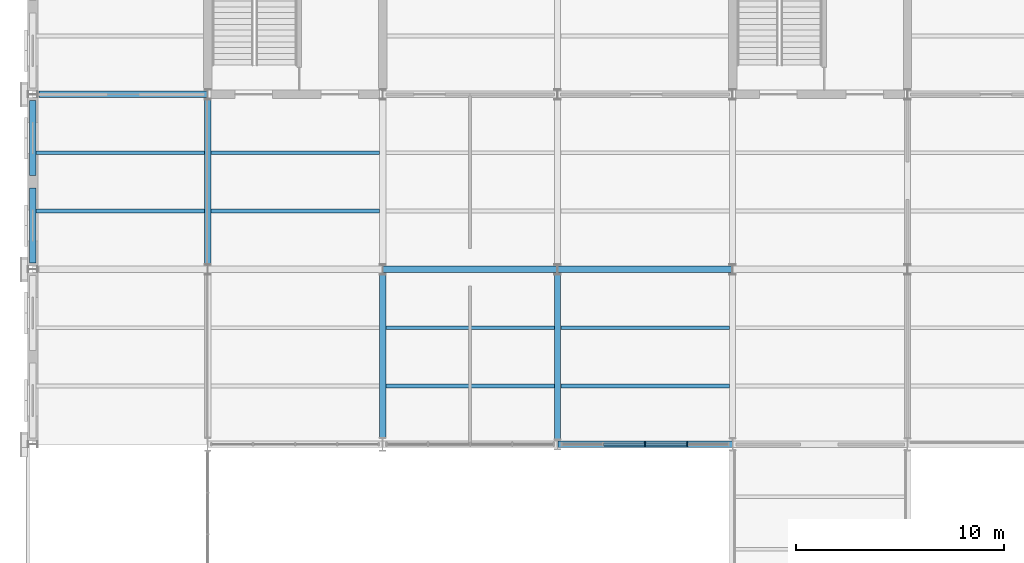
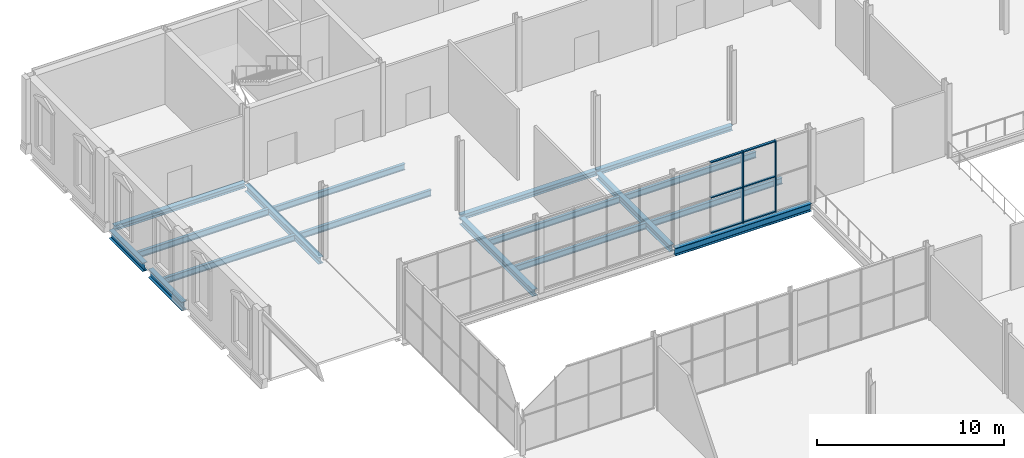
# One storey, part 16 of 61: 17 beams, 8 members, 1 element without a shape of its own.
"""IFC4 building model written with IfcOpenShell, lengths in metres."""

from ifc_helpers import new_model, si_unit, direction, frame, origin, origin_2d, place, context, subcontext, project, spatial, rectangle, i_section, extrude, material, layer, layer_set, material_profile, profile_set, type_object, element, aggregate, save


model = new_model("IFC4")

# Units and contexts
model_context = context("Model", 3, precision=1e-05, world=origin(), true_north=direction((0.0, 1.0)))
body_context = subcontext(model_context, "Body", "Model", "MODEL_VIEW")
ifc_project = project(units=[si_unit("LENGTHUNIT", "METRE"), si_unit("AREAUNIT", "SQUARE_METRE"), si_unit("VOLUMEUNIT", "CUBIC_METRE"), si_unit("PLANEANGLEUNIT", "RADIAN"), si_unit("MASSUNIT", "GRAM", prefix="KILO")], contexts=[model_context])

# Site, building, storey
site_placement = place(None, origin())
site = spatial("IfcSite", under=ifc_project, at=site_placement, CompositionType="ELEMENT")
building_placement = place(site_placement, origin())
building = spatial("IfcBuilding", under=site, at=building_placement, Name="Galleria Vessillo Department Store", CompositionType="ELEMENT")
storey_placement = place(building_placement, frame((0.0, 0.0, 11.39990234375)))
storey = spatial("IfcBuildingStorey", under=building, at=storey_placement, Name="L02", CompositionType="ELEMENT", Elevation=11.39990234375)

# Curtain wall, members
ifc_material_1 = material(Name="Aluminium and glass curtain wall", Category="aluminium")
ifc_layer = layer(ifc_material_1, 0.199951171875)
ifc_layer_set = layer_set([ifc_layer], Name="Aluminium and glass curtain wall")
curtain_wall_type = type_object("IfcCurtainWallType", Name="Arcade curtain wall CW1 2100 module", PredefinedType="NOTDEFINED", material=ifc_layer_set)
curtain_wall_placement = place(storey_placement, origin())
curtain_wall = element("IfcCurtainWall", 1, at=curtain_wall_placement, inside=storey, type_object=curtain_wall_type, Name="Arcade curtain wall CW1 2100 module AI-AW-N-L02-02", PredefinedType="NOTDEFINED")
ifc_material_2 = material(Name="Aluminium alloy 6063 T6", Category="aluminium")
ifc_material_profile_1 = material_profile(ifc_material_2, rectangle(XDim=0.199951171875, YDim=0.06005859375, at=origin_2d()), Name="AL 60x200")
ifc_profile_set_1 = profile_set([ifc_material_profile_1], Name="Aluminium alloy 6063 T6")
member_type_1 = type_object("IfcMemberType", Name="Aluminium mullion 60 x 200", PredefinedType="MULLION", material=ifc_profile_set_1)
member_1_placement = place(storey_placement, frame((29.400390625, 37.800048828125, 0.0), z_axis=(0.0, 0.0, 1.0), x_axis=(0.0, 1.0, 0.0)))
member_1 = element("IfcMember", 2, at=member_1_placement, type_object=member_type_1, Name="CW1 mullion 3", PredefinedType="MULLION", context=body_context, shape_type="SweptSolid", body=[
    extrude(rectangle(XDim=0.199951171875, YDim=0.06005859375, at=origin_2d()), origin(), (0.0, 0.0, 1.0), 4.650146484375),
])
member_2_placement = place(storey_placement, frame((31.423828125, 37.800048828125, 0.0), z_axis=(0.0, 0.0, 1.0), x_axis=(0.0, 1.0, 0.0)))
member_2 = element("IfcMember", 3, at=member_2_placement, type_object=member_type_1, Name="CW1 mullion 4", PredefinedType="MULLION", context=body_context, shape_type="SweptSolid", body=[
    extrude(rectangle(XDim=0.199951171875, YDim=0.06005859375, at=origin_2d()), origin(), (0.0, 0.0, 1.0), 4.650146484375),
])
ifc_material_3 = material(Name="Aluminium alloy 6063 T6", Category="aluminium")
ifc_material_profile_2 = material_profile(ifc_material_3, rectangle(XDim=0.139892578125, YDim=0.070068359375, at=origin_2d()), Name="AL 70x140")
ifc_profile_set_2 = profile_set([ifc_material_profile_2], Name="Aluminium alloy 6063 T6")
member_type_2 = type_object("IfcMemberType", Name="Aluminium transom 70 x 140", PredefinedType="USERDEFINED", material=ifc_profile_set_2)
member_3_placement = place(storey_placement, frame((27.40673828125, 37.800048828125, 0.034912109375), z_axis=(1.0, 0.0, 0.0), x_axis=(0.0, 1.0, 0.0)))
member_3 = element("IfcMember", 4, at=member_3_placement, type_object=member_type_2, Name="CW1 transom 2.1", ObjectType="TRANSOM", PredefinedType="USERDEFINED", context=body_context, shape_type="SweptSolid", body=[
    extrude(rectangle(XDim=0.139892578125, YDim=0.070068359375, at=origin_2d()), origin(), (0.0, 0.0, 1.0), 1.963623046875),
])
member_4_placement = place(storey_placement, frame((27.40673828125, 37.800048828125, 2.3251953125), z_axis=(1.0, 0.0, 0.0), x_axis=(0.0, 1.0, 0.0)))
member_4 = element("IfcMember", 5, at=member_4_placement, type_object=member_type_2, Name="CW1 transom 2.2", ObjectType="TRANSOM", PredefinedType="USERDEFINED", context=body_context, shape_type="SweptSolid", body=[
    extrude(rectangle(XDim=0.139892578125, YDim=0.070068359375, at=origin_2d()), origin(), (0.0, 0.0, 1.0), 1.963623046875),
])
member_5_placement = place(storey_placement, frame((27.40673828125, 37.800048828125, 4.615234375), z_axis=(1.0, 0.0, 0.0), x_axis=(0.0, 1.0, 0.0)))
member_5 = element("IfcMember", 6, at=member_5_placement, type_object=member_type_2, Name="CW1 transom 2.3", ObjectType="TRANSOM", PredefinedType="USERDEFINED", context=body_context, shape_type="SweptSolid", body=[
    extrude(rectangle(XDim=0.139892578125, YDim=0.070068359375, at=origin_2d()), origin(), (0.0, 0.0, 1.0), 1.963623046875),
])
member_6_placement = place(storey_placement, frame((29.43017578125, 37.800048828125, 0.034912109375), z_axis=(1.0, 0.0, 0.0), x_axis=(0.0, 1.0, 0.0)))
member_6 = element("IfcMember", 7, at=member_6_placement, type_object=member_type_2, Name="CW1 transom 3.1", ObjectType="TRANSOM", PredefinedType="USERDEFINED", context=body_context, shape_type="SweptSolid", body=[
    extrude(rectangle(XDim=0.139892578125, YDim=0.070068359375, at=origin_2d()), origin(), (0.0, 0.0, 1.0), 1.963623046875),
])
member_7_placement = place(storey_placement, frame((29.43017578125, 37.800048828125, 2.3251953125), z_axis=(1.0, 0.0, 0.0), x_axis=(0.0, 1.0, 0.0)))
member_7 = element("IfcMember", 8, at=member_7_placement, type_object=member_type_2, Name="CW1 transom 3.2", ObjectType="TRANSOM", PredefinedType="USERDEFINED", context=body_context, shape_type="SweptSolid", body=[
    extrude(rectangle(XDim=0.139892578125, YDim=0.070068359375, at=origin_2d()), origin(), (0.0, 0.0, 1.0), 1.963623046875),
])
member_8_placement = place(storey_placement, frame((29.43017578125, 37.800048828125, 4.615234375), z_axis=(1.0, 0.0, 0.0), x_axis=(0.0, 1.0, 0.0)))
member_8 = element("IfcMember", 9, at=member_8_placement, type_object=member_type_2, Name="CW1 transom 3.3", ObjectType="TRANSOM", PredefinedType="USERDEFINED", context=body_context, shape_type="SweptSolid", body=[
    extrude(rectangle(XDim=0.139892578125, YDim=0.070068359375, at=origin_2d()), origin(), (0.0, 0.0, 1.0), 1.963623046875),
])
aggregate(curtain_wall, [member_1, member_2, member_3, member_4, member_5, member_6, member_7, member_8])

# Beams
ifc_material_4 = material(Name="Steel S355 J2", Category="steel")
ifc_material_profile_3 = material_profile(ifc_material_4, i_section(OverallWidth=0.300048828125, OverallDepth=0.43994140625, WebThickness=0.011474609375, FlangeThickness=0.02099609375, FilletRadius=0.027099609375, at=origin_2d()), Name="HEA 450")
ifc_profile_set_3 = profile_set([ifc_material_profile_3], Name="Steel S355 J2")
beam_type_1 = type_object("IfcBeamType", Name="Floor girder HEA 450", PredefinedType="BEAM", material=ifc_profile_set_3)
beam_1_placement = place(storey_placement, frame((8.39990234375, 46.4501953125, -0.369873046875), z_axis=(0.0, 1.0, 0.0), x_axis=(-1.0, 0.0, 0.0)))
element("IfcBeam", 10, at=beam_1_placement, inside=storey, type_object=beam_type_1, Name="S-BM-L02-GI-y8400-46450", PredefinedType="BEAM", context=body_context, shape_type="SweptSolid", body=[
    extrude(i_section(OverallWidth=0.300048828125, OverallDepth=0.43994140625, WebThickness=0.011474609375, FlangeThickness=0.02099609375, FilletRadius=0.027099609375, at=origin_2d()), origin(), (0.0, 0.0, 1.0), 7.899658203125),
])
beam_2_placement = place(storey_placement, frame((16.800048828125, 38.134033203125, -0.369873046875), z_axis=(0.0, 1.0, 0.0), x_axis=(-1.0, 0.0, 0.0)))
element("IfcBeam", 11, at=beam_2_placement, inside=storey, type_object=beam_type_1, Name="S-BM-L02-GI-y16800-38134", PredefinedType="BEAM", context=body_context, shape_type="SweptSolid", body=[
    extrude(i_section(OverallWidth=0.300048828125, OverallDepth=0.43994140625, WebThickness=0.011474609375, FlangeThickness=0.02099609375, FilletRadius=0.027099609375, at=origin_2d()), origin(), (0.0, 0.0, 1.0), 7.81591796875),
])
beam_3_placement = place(storey_placement, frame((25.199951171875, 38.06201171875, -0.369873046875), z_axis=(0.0, 1.0, 0.0), x_axis=(-1.0, 0.0, 0.0)))
element("IfcBeam", 12, at=beam_3_placement, inside=storey, type_object=beam_type_1, Name="S-BM-L02-GI-y25200-38062", PredefinedType="BEAM", context=body_context, shape_type="SweptSolid", body=[
    extrude(i_section(OverallWidth=0.300048828125, OverallDepth=0.43994140625, WebThickness=0.011474609375, FlangeThickness=0.02099609375, FilletRadius=0.027099609375, at=origin_2d()), origin(), (0.0, 0.0, 1.0), 7.887939453125),
])
ifc_material_5 = material(Name="Steel S355 J2", Category="steel")
ifc_material_profile_4 = material_profile(ifc_material_5, i_section(OverallWidth=0.179931640625, OverallDepth=0.39990234375, WebThickness=0.008544921875, FlangeThickness=0.013427734375, FilletRadius=0.02099609375, at=origin_2d()), Name="IPE 400")
ifc_profile_set_4 = profile_set([ifc_material_profile_4], Name="Steel S355 J2")
beam_type_2 = type_object("IfcBeamType", Name="Floor joist IPE 400", PredefinedType="JOIST", material=ifc_profile_set_4)
for number, where, z_axis, x_axis, name in (
    (13, (0.150146484375, 49.0, -0.349853515625), (1.0, 0.0, 0.0), (0.0, 1.0, 0.0), "S-BM-L02-JO-x49000-150"),
    (14, (0.150146484375, 51.800048828125, -0.349853515625), (1.0, 0.0, 0.0), (0.0, 1.0, 0.0), "S-BM-L02-JO-x51800-150"),
):
    element("IfcBeam", number, at=place(storey_placement, frame(where, z_axis=z_axis, x_axis=x_axis)), inside=storey, type_object=beam_type_2, Name=name, PredefinedType="JOIST", context=body_context, shape_type="SweptSolid", body=[
        extrude(i_section(OverallWidth=0.179931640625, OverallDepth=0.39990234375, WebThickness=0.008544921875, FlangeThickness=0.013427734375, FilletRadius=0.02099609375, at=origin_2d()), origin(), (0.0, 0.0, 1.0), 8.099609375),
    ])
for number, where, z_axis, x_axis, name in (
    (15, (8.550048828125, 49.0, -0.349853515625), (1.0, 0.0, 0.0), (0.0, 1.0, 0.0), "S-BM-L02-JO-x49000-8550"),
    (16, (8.550048828125, 51.800048828125, -0.349853515625), (1.0, 0.0, 0.0), (0.0, 1.0, 0.0), "S-BM-L02-JO-x51800-8550"),
):
    element("IfcBeam", number, at=place(storey_placement, frame(where, z_axis=z_axis, x_axis=x_axis)), inside=storey, type_object=beam_type_2, Name=name, PredefinedType="JOIST", context=body_context, shape_type="SweptSolid", body=[
        extrude(i_section(OverallWidth=0.179931640625, OverallDepth=0.39990234375, WebThickness=0.008544921875, FlangeThickness=0.013427734375, FilletRadius=0.02099609375, at=origin_2d()), origin(), (0.0, 0.0, 1.0), 8.099853515625),
    ])
for number, where, z_axis, x_axis, name in (
    (17, (16.9501953125, 40.60009765625, -0.349853515625), (1.0, 0.0, 0.0), (0.0, 1.0, 0.0), "S-BM-L02-JO-x40600-16950"),
    (18, (16.9501953125, 43.39990234375, -0.349853515625), (1.0, 0.0, 0.0), (0.0, 1.0, 0.0), "S-BM-L02-JO-x43400-16950"),
):
    element("IfcBeam", number, at=place(storey_placement, frame(where, z_axis=z_axis, x_axis=x_axis)), inside=storey, type_object=beam_type_2, Name=name, PredefinedType="JOIST", context=body_context, shape_type="SweptSolid", body=[
        extrude(i_section(OverallWidth=0.179931640625, OverallDepth=0.39990234375, WebThickness=0.008544921875, FlangeThickness=0.013427734375, FilletRadius=0.02099609375, at=origin_2d()), origin(), (0.0, 0.0, 1.0), 8.099609375),
    ])
for number, where, z_axis, x_axis, name in (
    (19, (25.35009765625, 40.60009765625, -0.349853515625), (1.0, 0.0, 0.0), (0.0, 1.0, 0.0), "S-BM-L02-JO-x40600-25350"),
    (20, (25.35009765625, 43.39990234375, -0.349853515625), (1.0, 0.0, 0.0), (0.0, 1.0, 0.0), "S-BM-L02-JO-x43400-25350"),
):
    element("IfcBeam", number, at=place(storey_placement, frame(where, z_axis=z_axis, x_axis=x_axis)), inside=storey, type_object=beam_type_2, Name=name, PredefinedType="JOIST", context=body_context, shape_type="SweptSolid", body=[
        extrude(i_section(OverallWidth=0.179931640625, OverallDepth=0.39990234375, WebThickness=0.008544921875, FlangeThickness=0.013427734375, FilletRadius=0.02099609375, at=origin_2d()), origin(), (0.0, 0.0, 1.0), 8.099853515625),
    ])
ifc_material_6 = material(Name="Steel S355 J2", Category="steel")
ifc_material_profile_5 = material_profile(ifc_material_6, i_section(OverallWidth=0.300048828125, OverallDepth=0.330078125, WebThickness=0.009521484375, FlangeThickness=0.0166015625, FilletRadius=0.027099609375, at=origin_2d()), Name="HEA 340")
ifc_profile_set_5 = profile_set([ifc_material_profile_5], Name="Steel S355 J2")
beam_type_3 = type_object("IfcBeamType", Name="Floor tie girder HEA 340", PredefinedType="BEAM", material=ifc_profile_set_5)
for number, where, z_axis, x_axis, name in (
    (21, (16.807373046875, 46.199951171875, -0.31494140625), (1.0, 0.0, 0.0), (0.0, 1.0, 0.0), "S-BM-L02-TI-x46200-16807"),
    (22, (25.207275390625, 46.199951171875, -0.31494140625), (1.0, 0.0, 0.0), (0.0, 1.0, 0.0), "S-BM-L02-TI-x46200-25207"),
):
    element("IfcBeam", number, at=place(storey_placement, frame(where, z_axis=z_axis, x_axis=x_axis)), inside=storey, type_object=beam_type_3, Name=name, PredefinedType="BEAM", context=body_context, shape_type="SweptSolid", body=[
        extrude(i_section(OverallWidth=0.300048828125, OverallDepth=0.330078125, WebThickness=0.009521484375, FlangeThickness=0.0166015625, FilletRadius=0.027099609375, at=origin_2d()), origin(), (0.0, 0.0, 1.0), 8.38525390625),
    ])
beam_4_placement = place(storey_placement, frame((0.30517578125, 54.60009765625, -0.31494140625), z_axis=(1.0, 0.0, 0.0), x_axis=(0.0, 1.0, 0.0)))
element("IfcBeam", 23, at=beam_4_placement, inside=storey, type_object=beam_type_3, Name="S-BM-L02-TI-x54600-305", PredefinedType="BEAM", context=body_context, shape_type="SweptSolid", body=[
    extrude(i_section(OverallWidth=0.300048828125, OverallDepth=0.330078125, WebThickness=0.009521484375, FlangeThickness=0.0166015625, FilletRadius=0.027099609375, at=origin_2d()), origin(), (0.0, 0.0, 1.0), 8.08740234375),
])
ifc_material_7 = material(Name="Steel S355 J2", Category="steel")
ifc_material_profile_6 = material_profile(ifc_material_7, i_section(OverallWidth=0.300048828125, OverallDepth=0.550048828125, WebThickness=0.014892578125, FlangeThickness=0.029052734375, FilletRadius=0.027099609375, at=origin_2d()), Name="HEB 550")
ifc_profile_set_6 = profile_set([ifc_material_profile_6], Name="Steel S355 J2")
beam_type_4 = type_object("IfcBeamType", Name="Spandrel beam HEB 550", PredefinedType="SPANDREL", material=ifc_profile_set_6)
for number, where, z_axis, x_axis, name in (
    (24, (0.0, 46.505126953125, -0.4248046875), (0.0, 1.0, 0.0), (-1.0, 0.0, 0.0), "S-BM-L02-SP-y0-46505"),
    (25, (0.0, 50.705078125, -0.4248046875), (0.0, 1.0, 0.0), (-1.0, 0.0, 0.0), "S-BM-L02-SP-y0-50705"),
):
    element("IfcBeam", number, at=place(storey_placement, frame(where, z_axis=z_axis, x_axis=x_axis)), inside=storey, type_object=beam_type_4, Name=name, PredefinedType="SPANDREL", context=body_context, shape_type="SweptSolid", body=[
        extrude(i_section(OverallWidth=0.300048828125, OverallDepth=0.550048828125, WebThickness=0.014892578125, FlangeThickness=0.029052734375, FilletRadius=0.027099609375, at=origin_2d()), origin(), (0.0, 0.0, 1.0), 3.58984375),
    ])
ifc_material_8 = material(Name="Steel S355 J2", Category="steel")
ifc_material_profile_7 = material_profile(ifc_material_8, i_section(OverallWidth=0.300048828125, OverallDepth=0.489990234375, WebThickness=0.011962890625, FlangeThickness=0.02294921875, FilletRadius=0.027099609375, at=origin_2d()), Name="HEA 500")
ifc_profile_set_7 = profile_set([ifc_material_profile_7], Name="Steel S355 J2")
beam_type_5 = type_object("IfcBeamType", Name="Trimmer beam HEA 500", PredefinedType="BEAM", material=ifc_profile_set_7)
beam_5_placement = place(storey_placement, frame((25.210693359375, 37.800048828125, -0.39501953125), z_axis=(1.0, 0.0, 0.0), x_axis=(0.0, 1.0, 0.0)))
element("IfcBeam", 26, at=beam_5_placement, inside=storey, type_object=beam_type_5, Name="S-BM-L02-TR-x37800-25211", PredefinedType="BEAM", context=body_context, shape_type="SweptSolid", body=[
    extrude(i_section(OverallWidth=0.300048828125, OverallDepth=0.489990234375, WebThickness=0.011962890625, FlangeThickness=0.02294921875, FilletRadius=0.027099609375, at=origin_2d()), origin(), (0.0, 0.0, 1.0), 8.378662109375),
])

save(model, "model.ifc")
